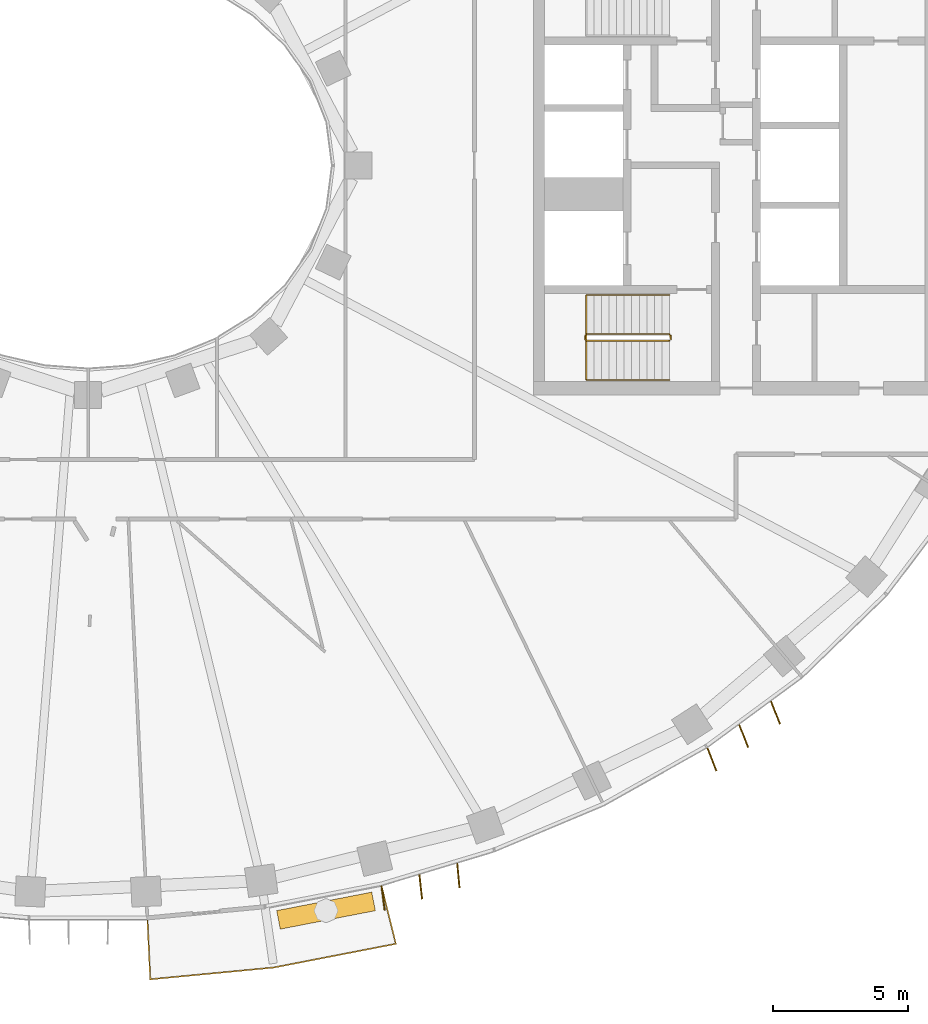
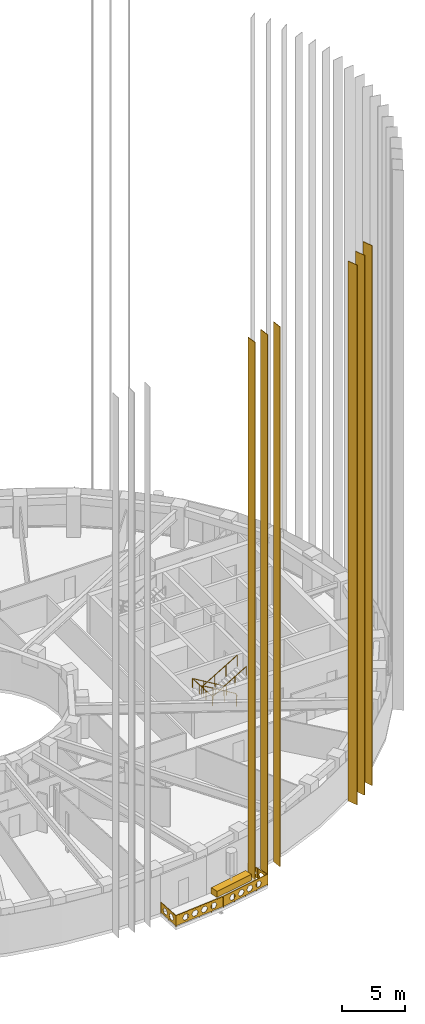
# One storey, part 15 of 19: 7 coverings, 3 railings.
"""IFC4 building model written with IfcOpenShell, lengths in metres."""

from ifc_helpers import new_model, si_unit, direction, frame, origin, origin_2d, place, context, subcontext, project, spatial, polyline, rectangle, outline, extrude, material, material_profile, profile_set, type_object, element, save


model = new_model("IFC4")

# Units and contexts
model_context = context("Model", 3, precision=1e-05, world=origin(), true_north=direction((0.0, 1.0)))
body_context = subcontext(model_context, "Body", "Model", "MODEL_VIEW")
ifc_project = project(units=[si_unit("LENGTHUNIT", "METRE"), si_unit("AREAUNIT", "SQUARE_METRE"), si_unit("VOLUMEUNIT", "CUBIC_METRE"), si_unit("PLANEANGLEUNIT", "RADIAN"), si_unit("MASSUNIT", "GRAM", prefix="KILO")], contexts=[model_context])

# Site, building, storey
site_placement = place(None, origin())
site = spatial("IfcSite", under=ifc_project, at=site_placement, CompositionType="ELEMENT")
building_placement = place(site_placement, origin())
building = spatial("IfcBuilding", under=site, at=building_placement, Name="Noorbagh Ring Tower", CompositionType="ELEMENT")
storey_placement = place(building_placement, frame((0.0, 0.0, 233.5)))
storey = spatial("IfcBuildingStorey", under=building, at=storey_placement, Name="L48", CompositionType="ELEMENT", Elevation=233.5)

# Railings
ifc_material_1 = material(Name="Stainless steel", Category="steel")
railing_type_1 = type_object("IfcRailingType", Name="CORE-STAIR-GUARD", PredefinedType="GUARDRAIL", material=ifc_material_1)
railing_1_placement = place(storey_placement, frame((21.580078125, -6.300048828125, 0.0)))
element("IfcRailing", 1, at=railing_1_placement, inside=storey, type_object=railing_type_1, Name="L48 ST4 stair guard", PredefinedType="GUARDRAIL", context=body_context, shape_type="SweptSolid", body=[
    extrude(rectangle(XDim=0.048095703125, YDim=0.048095703125, at=origin_2d()), frame((0.0, 0.0, 1.076171875), z_axis=(0.0, -1.0, 0.0), x_axis=(1.0, 0.0, 0.0)), (0.0, 0.0, 1.0), 0.14990234375),
    extrude(rectangle(XDim=0.048095703125, YDim=0.048095703125, at=origin_2d()), frame((0.0, -0.14990234375, 1.076171875), z_axis=(-0.188775798145, 0.754182335027, 0.628945707965), x_axis=(-0.970072785993, -0.242814311512, 0.0)), (0.0, 0.0, 1.0), 0.26513671875),
    extrude(rectangle(XDim=0.048095703125, YDim=0.048095703125, at=origin_2d()), frame((-0.050048828125, 0.050048828125, 1.24267578125), z_axis=(-0.859308565015, 0.0, 0.511457515432), x_axis=(0.0, -1.0, 0.0)), (0.0, 0.0, 1.0), 3.58447265625),
    extrude(rectangle(XDim=0.048095703125, YDim=0.048095703125, at=origin_2d()), frame((-3.130126953125, 0.050048828125, 3.076171875), z_axis=(-0.707106781187, -0.707106781187, 0.0), x_axis=(0.707106781187, -0.707106781187, 0.0)), (0.0, 0.0, 1.0), 0.07080078125),
    extrude(rectangle(XDim=0.048095703125, YDim=0.048095703125, at=origin_2d()), frame((-3.18017578125, 0.0, 3.076171875), z_axis=(0.0, -1.0, 0.0), x_axis=(1.0, 0.0, 0.0)), (0.0, 0.0, 1.0), 0.14990234375),
    extrude(rectangle(XDim=0.048095703125, YDim=0.048095703125, at=origin_2d()), frame((-3.18017578125, -0.14990234375, 3.076171875), z_axis=(0.27628659633, -0.27628659633, 0.920506074601), x_axis=(0.707106781187, 0.707106781187, 0.0)), (0.0, 0.0, 1.0), 0.18115234375),
    extrude(rectangle(XDim=0.048095703125, YDim=0.048095703125, at=origin_2d()), frame((-3.130126953125, -0.199951171875, 3.24267578125), z_axis=(0.859308565015, 0.0, 0.511457515432), x_axis=(0.0, 1.0, 0.0)), (0.0, 0.0, 1.0), 3.58447265625),
    extrude(rectangle(XDim=0.0419921875, YDim=0.0419921875, at=origin_2d()), origin(), (0.0, 0.0, 1.0), 1.052001953125),
    extrude(rectangle(XDim=0.0419921875, YDim=0.0419921875, at=origin_2d()), frame((-1.07666015625, 0.050048828125, 0.77783203125)), (0.0, 0.0, 1.0), 1.052001953125),
    extrude(rectangle(XDim=0.0419921875, YDim=0.0419921875, at=origin_2d()), frame((-2.103515625, 0.050048828125, 1.388916015625)), (0.0, 0.0, 1.0), 1.052001953125),
    extrude(rectangle(XDim=0.0419921875, YDim=0.0419921875, at=origin_2d()), frame((-3.130126953125, 0.050048828125, 2.0)), (0.0, 0.0, 1.0), 1.052001953125),
    extrude(rectangle(XDim=0.0419921875, YDim=0.0419921875, at=origin_2d()), frame((-3.130126953125, -0.199951171875, 2.166748046875)), (0.0, 0.0, 1.0), 1.052001953125),
    extrude(rectangle(XDim=0.0419921875, YDim=0.0419921875, at=origin_2d()), frame((-2.103515625, -0.199951171875, 2.77783203125)), (0.0, 0.0, 1.0), 1.052001953125),
    extrude(rectangle(XDim=0.0419921875, YDim=0.0419921875, at=origin_2d()), frame((-1.07666015625, -0.199951171875, 3.388916015625)), (0.0, 0.0, 1.0), 1.052001953125),
    extrude(rectangle(XDim=0.0419921875, YDim=0.0419921875, at=origin_2d()), frame((-0.050048828125, -0.199951171875, 4.0)), (0.0, 0.0, 1.0), 1.052001953125),
])
ifc_material_2 = material(Name="Stainless steel", Category="steel")
railing_type_2 = type_object("IfcRailingType", Name="CORE-STAIR-HANDRAIL", PredefinedType="HANDRAIL", material=ifc_material_2)
railing_2_placement = place(storey_placement, frame((21.530029296875, -4.800048828125, 0.166748046875)))
element("IfcRailing", 2, at=railing_2_placement, inside=storey, type_object=railing_type_2, Name="L48 ST4 stair handrail", PredefinedType="HANDRAIL", context=body_context, shape_type="SweptSolid", body=[
    extrude(rectangle(XDim=0.048095703125, YDim=0.048095703125, at=origin_2d()), frame((0.0, 0.0, 0.8759765625), z_axis=(-0.859308565015, 0.0, 0.511457515432), x_axis=(0.0, -1.0, 0.0)), (0.0, 0.0, 1.0), 3.58447265625),
    extrude(rectangle(XDim=0.048095703125, YDim=0.048095703125, at=origin_2d()), frame((-3.080078125, 0.0, 2.708984375), z_axis=(0.0, -0.998601747152, 0.052863509014), x_axis=(1.0, 0.0, 0.0)), (0.0, 0.0, 1.0), 3.154296875),
    extrude(rectangle(XDim=0.048095703125, YDim=0.048095703125, at=origin_2d()), frame((-3.080078125, -3.14990234375, 2.8759765625), z_axis=(0.859308565015, 0.0, 0.511457515432), x_axis=(0.0, 1.0, 0.0)), (0.0, 0.0, 1.0), 3.58447265625),
    extrude(rectangle(XDim=0.0419921875, YDim=0.0419921875, at=origin_2d()), origin(), (0.0, 0.0, 1.0), 0.851806640625),
    extrude(rectangle(XDim=0.0419921875, YDim=0.0419921875, at=origin_2d()), frame((-1.026611328125, 0.0, 0.611083984375)), (0.0, 0.0, 1.0), 0.851806640625),
    extrude(rectangle(XDim=0.0419921875, YDim=0.0419921875, at=origin_2d()), frame((-2.053466796875, 0.0, 1.22216796875)), (0.0, 0.0, 1.0), 0.851806640625),
    extrude(rectangle(XDim=0.0419921875, YDim=0.0419921875, at=origin_2d()), frame((-3.080078125, 0.0, 1.833251953125)), (0.0, 0.0, 1.0), 0.851806640625),
    extrude(rectangle(XDim=0.0419921875, YDim=0.0419921875, at=origin_2d()), frame((-3.080078125, -1.050048828125, 1.888916015625)), (0.0, 0.0, 1.0), 0.851806640625),
    extrude(rectangle(XDim=0.0419921875, YDim=0.0419921875, at=origin_2d()), frame((-3.080078125, -2.099853515625, 1.9443359375)), (0.0, 0.0, 1.0), 0.851806640625),
    extrude(rectangle(XDim=0.0419921875, YDim=0.0419921875, at=origin_2d()), frame((-3.080078125, -3.14990234375, 2.0)), (0.0, 0.0, 1.0), 0.851806640625),
    extrude(rectangle(XDim=0.0419921875, YDim=0.0419921875, at=origin_2d()), frame((-2.053466796875, -3.14990234375, 2.611083984375)), (0.0, 0.0, 1.0), 0.851806640625),
    extrude(rectangle(XDim=0.0419921875, YDim=0.0419921875, at=origin_2d()), frame((-1.026611328125, -3.14990234375, 3.22216796875)), (0.0, 0.0, 1.0), 0.851806640625),
    extrude(rectangle(XDim=0.0419921875, YDim=0.0419921875, at=origin_2d()), frame((0.0, -3.14990234375, 3.833251953125)), (0.0, 0.0, 1.0), 0.851806640625),
])

# Coverings
ifc_material_3 = material(Name="Aluminium 6063-T6 black anodised", Category="aluminium")
ifc_material_profile = material_profile(ifc_material_3, rectangle(XDim=0.89990234375, YDim=0.050048828125, at=origin_2d()), Name="900x50")
ifc_profile_set = profile_set([ifc_material_profile], Name="Aluminium 6063-T6 black anodised")
covering_type_1 = type_object("IfcCoveringType", Name="ENV-FIN", PredefinedType="CLADDING", material=ifc_profile_set)
for number, where, z_axis, x_axis, name in (
    (3, (10.923583984375, -27.14501953125, -0.284912109375), (0.0, 0.0, 1.0), (0.126759493419, -0.99193348105, 0.0), "Fin F38 1 L48-L60"),
    (4, (12.31591796875, -26.72509765625, -0.284912109375), (0.0, 0.0, 1.0), (0.109101232004, -0.994030643982, 0.0), "Fin F38 2 L48-L60"),
    (5, (13.708740234375, -26.304931640625, -0.284912109375), (0.0, 0.0, 1.0), (0.092918421481, -0.995673725148, 0.0), "Fin F38 3 L48-L60"),
    (6, (23.100830078125, -22.00830078125, -0.284912109375), (0.0, 0.0, 1.0), (0.365038143381, -0.930992563814, 0.0), "Fin F41 1 L48-L60"),
    (7, (24.277587890625, -21.1416015625, -0.284912109375), (0.0, 0.0, 1.0), (0.364533046139, -0.931190452202, 0.0), "Fin F41 2 L48-L60"),
    (8, (25.455078125, -20.2744140625, -0.284912109375), (0.0, 0.0, 1.0), (0.366046969104, -0.930596376745, 0.0), "Fin F41 3 L48-L60"),
):
    element("IfcCovering", number, at=place(storey_placement, frame(where, z_axis=z_axis, x_axis=x_axis)), inside=storey, type_object=covering_type_1, Name=name, ObjectType="FIN", PredefinedType="CLADDING", context=body_context, shape_type="SweptSolid", body=[
        extrude(rectangle(XDim=0.89990234375, YDim=0.050048828125, at=origin_2d()), origin(), (0.0, 0.0, 1.0), 51.969970703125),
    ])

# Railing
ifc_material_4 = material(Name="Steel S275 black powder-coated", Category="steel")
railing_type_3 = type_object("IfcRailingType", Name="ENV-GUARD", PredefinedType="GUARDRAIL", material=ifc_material_4)
railing_3_placement = place(storey_placement, frame((2.193115234375, -27.947998046875, 0.0)))
element("IfcRailing", 9, at=railing_3_placement, inside=storey, type_object=railing_type_3, Name="Balcony guard BS04", PredefinedType="GUARDRAIL", context=body_context, shape_type="SweptSolid", body=[
    extrude(rectangle(XDim=0.048095703125, YDim=0.048095703125, at=origin_2d()), frame((0.0, 0.0, 1.076171875), z_axis=(0.047554616162, -0.998868639252, 0.0), x_axis=(0.998868639252, 0.047554616162, 0.0)), (0.0, 0.0, 1.0), 2.202392578125),
    extrude(rectangle(XDim=0.048095703125, YDim=0.048095703125, at=origin_2d()), frame((0.104736328125, -2.199951171875, 1.076171875), z_axis=(0.995477555764, 0.094997031379, 0.0), x_axis=(-0.094997031379, 0.995477555764, 0.0)), (0.0, 0.0, 1.0), 4.59765625),
    extrude(rectangle(XDim=0.048095703125, YDim=0.048095703125, at=origin_2d()), frame((4.681640625, -1.76318359375, 1.076171875), z_axis=(0.981625049064, 0.1908199755, 0.0), x_axis=(-0.1908199755, 0.981625049064, 0.0)), (0.0, 0.0, 1.0), 4.603271484375),
    extrude(rectangle(XDim=0.048095703125, YDim=0.048095703125, at=origin_2d()), frame((9.200439453125, -0.884765625, 1.076171875), z_axis=(-0.239848558412, 0.970810315679, 0.0), x_axis=(-0.970810315679, -0.239848558412, 0.0)), (0.0, 0.0, 1.0), 2.20263671875),
    extrude(rectangle(XDim=0.0419921875, YDim=0.0419921875, at=origin_2d()), origin(), (0.0, 0.0, 1.0), 1.052001953125),
    extrude(rectangle(XDim=0.0419921875, YDim=0.0419921875, at=origin_2d()), frame((0.05224609375, -1.10009765625, 0.0)), (0.0, 0.0, 1.0), 1.052001953125),
    extrude(rectangle(XDim=0.0419921875, YDim=0.0419921875, at=origin_2d()), frame((0.104736328125, -2.199951171875, 0.0)), (0.0, 0.0, 1.0), 1.052001953125),
    extrude(rectangle(XDim=0.0419921875, YDim=0.0419921875, at=origin_2d()), frame((1.2490234375, -2.0908203125, 0.0)), (0.0, 0.0, 1.0), 1.052001953125),
    extrude(rectangle(XDim=0.0419921875, YDim=0.0419921875, at=origin_2d()), frame((2.39306640625, -1.9814453125, 0.0)), (0.0, 0.0, 1.0), 1.052001953125),
    extrude(rectangle(XDim=0.0419921875, YDim=0.0419921875, at=origin_2d()), frame((3.537353515625, -1.872314453125, 0.0)), (0.0, 0.0, 1.0), 1.052001953125),
    extrude(rectangle(XDim=0.0419921875, YDim=0.0419921875, at=origin_2d()), frame((4.681640625, -1.76318359375, 0.0)), (0.0, 0.0, 1.0), 1.052001953125),
    extrude(rectangle(XDim=0.0419921875, YDim=0.0419921875, at=origin_2d()), frame((5.811279296875, -1.54345703125, 0.0)), (0.0, 0.0, 1.0), 1.052001953125),
    extrude(rectangle(XDim=0.0419921875, YDim=0.0419921875, at=origin_2d()), frame((6.94091796875, -1.323974609375, 0.0)), (0.0, 0.0, 1.0), 1.052001953125),
    extrude(rectangle(XDim=0.0419921875, YDim=0.0419921875, at=origin_2d()), frame((8.07080078125, -1.1044921875, 0.0)), (0.0, 0.0, 1.0), 1.052001953125),
    extrude(rectangle(XDim=0.0419921875, YDim=0.0419921875, at=origin_2d()), frame((9.200439453125, -0.884765625, 0.0)), (0.0, 0.0, 1.0), 1.052001953125),
    extrude(rectangle(XDim=0.0419921875, YDim=0.0419921875, at=origin_2d()), frame((8.936279296875, 0.1845703125, 0.0)), (0.0, 0.0, 1.0), 1.052001953125),
    extrude(rectangle(XDim=0.0419921875, YDim=0.0419921875, at=origin_2d()), frame((8.672119140625, 1.253662109375, 0.0)), (0.0, 0.0, 1.0), 1.052001953125),
    extrude(outline(polyline([(0.0, 0.10009765625), (2.202392578125, 0.10009765625), (2.202392578125, 1.031982421875), (0.0, 1.031982421875), (0.0, 0.10009765625)]), holes=[polyline([(0.961181640625, 0.56591796875), (0.80615234375, 0.83447265625), (0.496337890625, 0.83447265625), (0.34130859375, 0.56591796875), (0.496337890625, 0.297607421875), (0.80615234375, 0.297607421875), (0.961181640625, 0.56591796875)]), polyline([(1.861328125, 0.56591796875), (1.706298828125, 0.83447265625), (1.396240234375, 0.83447265625), (1.2412109375, 0.56591796875), (1.396240234375, 0.297607421875), (1.706298828125, 0.297607421875), (1.861328125, 0.56591796875)])]), frame((0.010009765625, 0.00048828125, 0.0), z_axis=(-0.998868639252, -0.047554616162, 0.0), x_axis=(0.047554616162, -0.998868639252, 0.0)), (0.0, 0.0, 1.0), 0.02001953125),
    extrude(outline(polyline([(0.0, 0.10009765625), (4.59765625, 0.10009765625), (4.59765625, 1.031982421875), (0.0, 1.031982421875), (0.0, 0.10009765625)]), holes=[polyline([(1.2587890625, 0.56591796875), (1.103759765625, 0.83447265625), (0.7939453125, 0.83447265625), (0.638916015625, 0.56591796875), (0.7939453125, 0.297607421875), (1.103759765625, 0.297607421875), (1.2587890625, 0.56591796875)]), polyline([(2.158935546875, 0.56591796875), (2.00390625, 0.83447265625), (1.69384765625, 0.83447265625), (1.538818359375, 0.56591796875), (1.69384765625, 0.297607421875), (2.00390625, 0.297607421875), (2.158935546875, 0.56591796875)]), polyline([(3.058837890625, 0.56591796875), (2.90380859375, 0.83447265625), (2.59375, 0.83447265625), (2.43896484375, 0.56591796875), (2.59375, 0.297607421875), (2.90380859375, 0.297607421875), (3.058837890625, 0.56591796875)]), polyline([(3.958740234375, 0.56591796875), (3.803955078125, 0.83447265625), (3.493896484375, 0.83447265625), (3.3388671875, 0.56591796875), (3.493896484375, 0.297607421875), (3.803955078125, 0.297607421875), (3.958740234375, 0.56591796875)])]), frame((0.103759765625, -2.18994140625, 0.0), z_axis=(0.094997031379, -0.995477555764, 0.0), x_axis=(0.995477555764, 0.094997031379, 0.0)), (0.0, 0.0, 1.0), 0.02001953125),
    extrude(outline(polyline([(0.0, 0.10009765625), (4.603271484375, 0.10009765625), (4.603271484375, 1.031982421875), (0.0, 1.031982421875), (0.0, 0.10009765625)]), holes=[polyline([(1.26171875, 0.56591796875), (1.106689453125, 0.83447265625), (0.796630859375, 0.83447265625), (0.6416015625, 0.56591796875), (0.796630859375, 0.297607421875), (1.106689453125, 0.297607421875), (1.26171875, 0.56591796875)]), polyline([(2.16162109375, 0.56591796875), (2.006591796875, 0.83447265625), (1.69677734375, 0.83447265625), (1.541748046875, 0.56591796875), (1.69677734375, 0.297607421875), (2.006591796875, 0.297607421875), (2.16162109375, 0.56591796875)]), polyline([(3.061767578125, 0.56591796875), (2.90673828125, 0.83447265625), (2.5966796875, 0.83447265625), (2.441650390625, 0.56591796875), (2.5966796875, 0.297607421875), (2.90673828125, 0.297607421875), (3.061767578125, 0.56591796875)]), polyline([(3.961669921875, 0.56591796875), (3.806640625, 0.83447265625), (3.49658203125, 0.83447265625), (3.341796875, 0.56591796875), (3.49658203125, 0.297607421875), (3.806640625, 0.297607421875), (3.961669921875, 0.56591796875)])]), frame((4.6796875, -1.75341796875, 0.0), z_axis=(0.1908199755, -0.981625049064, 0.0), x_axis=(0.981625049064, 0.1908199755, 0.0)), (0.0, 0.0, 1.0), 0.02001953125),
    extrude(outline(polyline([(0.0, 0.10009765625), (2.20263671875, 0.10009765625), (2.20263671875, 1.031982421875), (0.0, 1.031982421875), (0.0, 0.10009765625)]), holes=[polyline([(0.96142578125, 0.56591796875), (0.806396484375, 0.83447265625), (0.496337890625, 0.83447265625), (0.34130859375, 0.56591796875), (0.496337890625, 0.297607421875), (0.806396484375, 0.297607421875), (0.96142578125, 0.56591796875)]), polyline([(1.861328125, 0.56591796875), (1.706298828125, 0.83447265625), (1.396240234375, 0.83447265625), (1.241455078125, 0.56591796875), (1.396240234375, 0.297607421875), (1.706298828125, 0.297607421875), (1.861328125, 0.56591796875)])]), frame((9.190673828125, -0.88720703125, 0.0), z_axis=(0.970810315679, 0.239848558412, 0.0), x_axis=(-0.239848558412, 0.970810315679, 0.0)), (0.0, 0.0, 1.0), 0.02001953125),
])

# Covering
ifc_material_5 = material(Name="Concrete C30/37 planter with soil", Category="concrete")
covering_type_2 = type_object("IfcCoveringType", Name="ENV-PLANTER", PredefinedType="CLADDING", material=ifc_material_5)
covering_placement = place(storey_placement, frame((8.807861328125, -27.603515625, 0.0), z_axis=(0.0, 0.0, 1.0), x_axis=(0.981624952922, 0.190820470077, 0.0)))
element("IfcCovering", 10, at=covering_placement, inside=storey, type_object=covering_type_2, Name="PLANTER BS04", ObjectType="PLANTER", PredefinedType="CLADDING", context=body_context, shape_type="SweptSolid", body=[
    extrude(rectangle(XDim=3.586181640625, YDim=0.699951171875, at=origin_2d()), origin(), (0.0, 0.0, 1.0), 0.60009765625),
])

save(model, "model.ifc")
